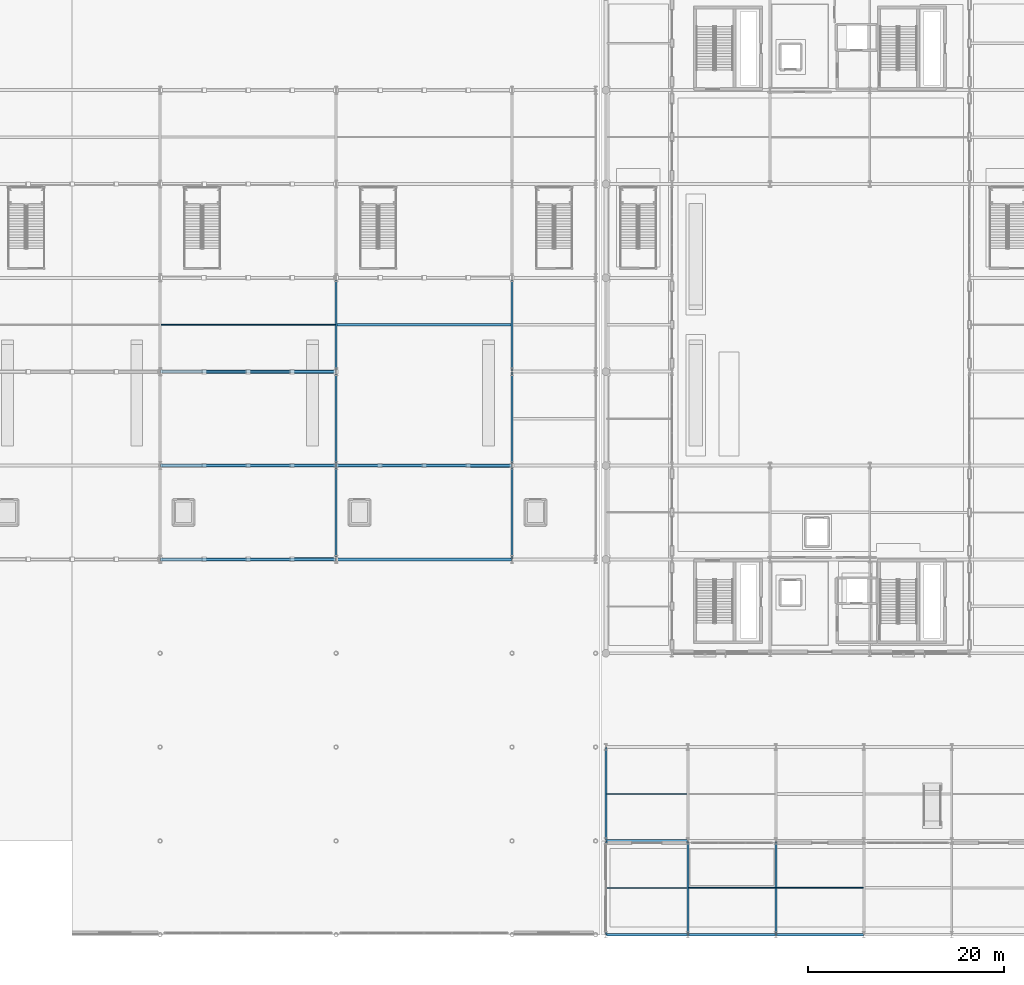
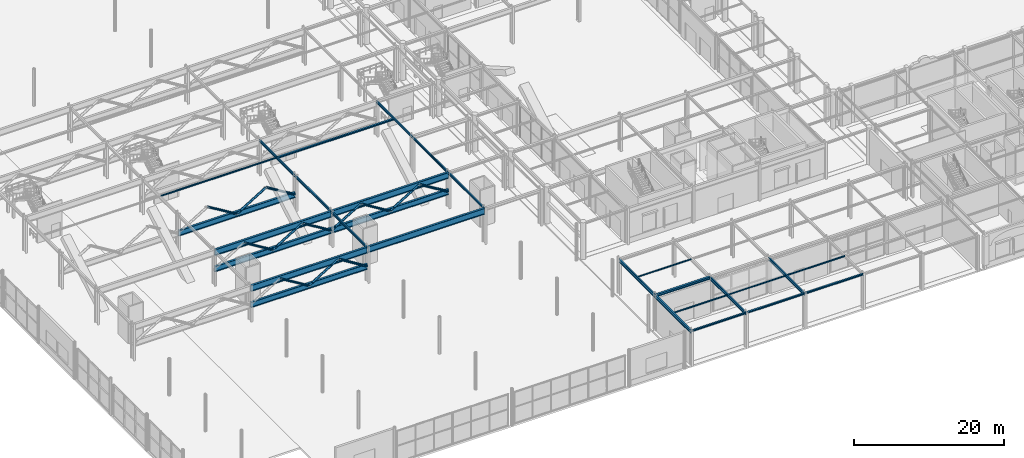
# One storey, part 29 of 113: 24 beams, 17 members.
"""IFC4 building model written with IfcOpenShell, lengths in metres."""

from ifc_helpers import new_model, si_unit, direction, frame, origin, origin_2d, place, context, subcontext, project, spatial, hollow_circle, i_section, extrude, material, material_profile, profile_set, type_object, element, save


model = new_model("IFC4")

# Units and contexts
model_context = context("Model", 3, precision=1e-05, world=origin(), true_north=direction((0.0, 1.0)))
body_context = subcontext(model_context, "Body", "Model", "MODEL_VIEW")
ifc_project = project(units=[si_unit("LENGTHUNIT", "METRE"), si_unit("AREAUNIT", "SQUARE_METRE"), si_unit("VOLUMEUNIT", "CUBIC_METRE"), si_unit("PLANEANGLEUNIT", "RADIAN"), si_unit("MASSUNIT", "GRAM", prefix="KILO")], contexts=[model_context])

# Site, building, storey
site_placement = place(None, origin())
site = spatial("IfcSite", under=ifc_project, at=site_placement, CompositionType="ELEMENT")
building_placement = place(site_placement, origin())
building = spatial("IfcBuilding", under=site, at=building_placement, Name="Myrtia Square Station", CompositionType="ELEMENT")
storey_placement = place(building_placement, origin())
storey = spatial("IfcBuildingStorey", under=building, at=storey_placement, Name="L00", CompositionType="ELEMENT", Elevation=0.0)

# Beams
ifc_material = material(Name="Steel S355", Category="steel")
ifc_material_profile_1 = material_profile(ifc_material, i_section(OverallWidth=0.300048828125, OverallDepth=0.39990234375, WebThickness=0.013427734375, FlangeThickness=0.02392578125, FilletRadius=0.027099609375, at=origin_2d()), Name="HEB 400")
ifc_profile_set_1 = profile_set([ifc_material_profile_1], Name="Steel S355")
beam_type_1 = type_object("IfcBeamType", Name="BM-HEB400", PredefinedType="BEAM", material=ifc_profile_set_1)
beam_1_placement = place(storey_placement, frame((72.64990234375, 9.60009765625, 5.56005859375), z_axis=(1.0, 0.0, 0.0), x_axis=(0.0, 1.0, 0.0)))
element("IfcBeam", 1, at=beam_1_placement, inside=storey, type_object=beam_type_1, Name="Structural girder BMX-L00-0327", PredefinedType="BEAM", context=body_context, shape_type="SweptSolid", body=[
    extrude(i_section(OverallWidth=0.300048828125, OverallDepth=0.39990234375, WebThickness=0.013427734375, FlangeThickness=0.02392578125, FilletRadius=0.027099609375, at=origin_2d()), origin(), (0.0, 0.0, 1.0), 8.300048828125),
])
ifc_material_profile_2 = material_profile(ifc_material, i_section(OverallWidth=0.169921875, OverallDepth=0.360107421875, WebThickness=0.008056640625, FlangeThickness=0.0126953125, FilletRadius=0.01806640625, at=origin_2d()), Name="IPE 360")
ifc_profile_set_2 = profile_set([ifc_material_profile_2], Name="Steel S355")
beam_type_2 = type_object("IfcBeamType", Name="BM-IPE360", PredefinedType="BEAM", material=ifc_profile_set_2)
for number, where, z_axis, x_axis, name in (
    (2, (63.0, 38.449951171875, 5.56005859375), (0.0, 1.0, 0.0), (-1.0, 0.0, 0.0), "Structural girder BMY-L00-0272"),
    (3, (63.0, 48.050048828125, 5.56005859375), (0.0, 1.0, 0.0), (-1.0, 0.0, 0.0), "Structural girder BMY-L00-0273"),
    (4, (63.0, 57.64990234375, 5.56005859375), (0.0, 1.0, 0.0), (-1.0, 0.0, 0.0), "Structural girder BMY-L00-0274"),
):
    element("IfcBeam", number, at=place(storey_placement, frame(where, z_axis=z_axis, x_axis=x_axis)), inside=storey, type_object=beam_type_2, Name=name, PredefinedType="BEAM", context=body_context, shape_type="SweptSolid", body=[
        extrude(i_section(OverallWidth=0.169921875, OverallDepth=0.360107421875, WebThickness=0.008056640625, FlangeThickness=0.0126953125, FilletRadius=0.01806640625, at=origin_2d()), origin(), (0.0, 0.0, 1.0), 9.5),
    ])
ifc_material_profile_3 = material_profile(ifc_material, i_section(OverallWidth=0.179931640625, OverallDepth=0.39990234375, WebThickness=0.008544921875, FlangeThickness=0.013427734375, FilletRadius=0.02099609375, at=origin_2d()), Name="IPE 400")
ifc_profile_set_3 = profile_set([ifc_material_profile_3], Name="Steel S355")
beam_type_3 = type_object("IfcBeamType", Name="BM-IPE400", PredefinedType="BEAM", material=ifc_profile_set_3)
for number, where, z_axis, x_axis, name in (
    (5, (45.0, 38.449951171875, 5.5400390625), (0.0, 1.0, 0.0), (-1.0, 0.0, 0.0), "Structural girder BMY-L00-0267"),
    (6, (45.0, 48.050048828125, 5.5400390625), (0.0, 1.0, 0.0), (-1.0, 0.0, 0.0), "Structural girder BMY-L00-0268"),
    (7, (45.0, 57.64990234375, 5.5400390625), (0.0, 1.0, 0.0), (-1.0, 0.0, 0.0), "Structural girder BMY-L00-0269"),
):
    element("IfcBeam", number, at=place(storey_placement, frame(where, z_axis=z_axis, x_axis=x_axis)), inside=storey, type_object=beam_type_3, Name=name, PredefinedType="BEAM", context=body_context, shape_type="SweptSolid", body=[
        extrude(i_section(OverallWidth=0.179931640625, OverallDepth=0.39990234375, WebThickness=0.008544921875, FlangeThickness=0.013427734375, FilletRadius=0.02099609375, at=origin_2d()), origin(), (0.0, 0.0, 1.0), 9.5),
    ])
ifc_material_profile_4 = material_profile(ifc_material, i_section(OverallWidth=0.18994140625, OverallDepth=0.449951171875, WebThickness=0.009521484375, FlangeThickness=0.0146484375, FilletRadius=0.02099609375, at=origin_2d()), Name="IPE 450")
ifc_profile_set_4 = profile_set([ifc_material_profile_4], Name="Steel S355")
beam_type_4 = type_object("IfcBeamType", Name="BM-IPE450", PredefinedType="BEAM", material=ifc_profile_set_4)
beam_2_placement = place(storey_placement, frame((90.0, 0.050048828125, 5.534912109375), z_axis=(0.0, 1.0, 0.0), x_axis=(-1.0, 0.0, 0.0)))
element("IfcBeam", 8, at=beam_2_placement, inside=storey, type_object=beam_type_4, Name="Structural girder BMY-L00-0358", PredefinedType="BEAM", context=body_context, shape_type="SweptSolid", body=[
    extrude(i_section(OverallWidth=0.18994140625, OverallDepth=0.449951171875, WebThickness=0.009521484375, FlangeThickness=0.0146484375, FilletRadius=0.02099609375, at=origin_2d()), origin(), (0.0, 0.0, 1.0), 9.5),
])
ifc_material_profile_5 = material_profile(ifc_material, i_section(OverallWidth=0.199951171875, OverallDepth=0.5, WebThickness=0.01025390625, FlangeThickness=0.01611328125, FilletRadius=0.02099609375, at=origin_2d()), Name="IPE 500")
ifc_profile_set_5 = profile_set([ifc_material_profile_5], Name="Steel S355")
beam_type_5 = type_object("IfcBeamType", Name="BM-IPE500", PredefinedType="BEAM", material=ifc_profile_set_5)
beam_3_placement = place(storey_placement, frame((81.0, 0.050048828125, 5.510009765625), z_axis=(0.0, 1.0, 0.0), x_axis=(-1.0, 0.0, 0.0)))
element("IfcBeam", 9, at=beam_3_placement, inside=storey, type_object=beam_type_5, Name="Structural girder BMY-L00-0356", PredefinedType="BEAM", context=body_context, shape_type="SweptSolid", body=[
    extrude(i_section(OverallWidth=0.199951171875, OverallDepth=0.5, WebThickness=0.01025390625, FlangeThickness=0.01611328125, FilletRadius=0.02099609375, at=origin_2d()), origin(), (0.0, 0.0, 1.0), 9.5),
])
ifc_material_profile_6 = material_profile(ifc_material, i_section(OverallWidth=0.2099609375, OverallDepth=0.550048828125, WebThickness=0.010986328125, FlangeThickness=0.01708984375, FilletRadius=0.02392578125, at=origin_2d()), Name="IPE 550")
ifc_profile_set_6 = profile_set([ifc_material_profile_6], Name="Steel S355")
beam_type_6 = type_object("IfcBeamType", Name="BM-IPE550", PredefinedType="BEAM", material=ifc_profile_set_6)
for number, where, z_axis, x_axis, name in (
    (10, (72.60009765625, 0.050048828125, 5.485107421875), (0.0, 1.0, 0.0), (-1.0, 0.0, 0.0), "Structural girder BMY-L00-0354"),
    (11, (72.60009765625, 9.64990234375, 5.485107421875), (0.0, 1.0, 0.0), (-1.0, 0.0, 0.0), "Structural girder BMY-L00-0355"),
):
    element("IfcBeam", number, at=place(storey_placement, frame(where, z_axis=z_axis, x_axis=x_axis)), inside=storey, type_object=beam_type_6, Name=name, PredefinedType="BEAM", context=body_context, shape_type="SweptSolid", body=[
        extrude(i_section(OverallWidth=0.2099609375, OverallDepth=0.550048828125, WebThickness=0.010986328125, FlangeThickness=0.01708984375, FilletRadius=0.02392578125, at=origin_2d()), origin(), (0.0, 0.0, 1.0), 9.5),
    ])

# Members
ifc_material_profile_7 = material_profile(ifc_material, hollow_circle(Radius=0.161865234375, WallThickness=0.01611328125, at=origin_2d()), Name="CHS 323.9x16")
ifc_profile_set_7 = profile_set([ifc_material_profile_7], Name="Steel S355")
member_type_1 = type_object("IfcMemberType", Name="BRC-CHS323", PredefinedType="BRACE", material=ifc_profile_set_7)
for number, where, z_axis, x_axis, name in (
    (12, (31.5400390625, 38.39990234375, 5.239990234375), (0.854236821944, 0.0, -0.519884075573), (0.0, 1.0, 0.0), "Over-track transfer truss 01 diagonal 6"),
    (13, (36.0400390625, 38.39990234375, 2.550048828125), (0.854236821944, 0.0, 0.519884075573), (0.0, 1.0, 0.0), "Over-track transfer truss 01 diagonal 7"),
    (14, (31.5400390625, 48.0, 5.239990234375), (0.854236821944, 0.0, -0.519884075573), (0.0, 1.0, 0.0), "Over-track transfer truss 02 diagonal 2"),
    (15, (36.0400390625, 48.0, 2.550048828125), (0.854236821944, 0.0, 0.519884075573), (0.0, 1.0, 0.0), "Over-track transfer truss 02 diagonal 3"),
    (16, (40.5400390625, 48.0, 5.239990234375), (0.854236821944, 0.0, -0.519884075573), (0.0, 1.0, 0.0), "Over-track transfer truss 02 diagonal 4"),
    (17, (45.0400390625, 48.0, 2.550048828125), (0.854236821944, 0.0, 0.519884075573), (0.0, 1.0, 0.0), "Over-track transfer truss 02 diagonal 5"),
    (18, (49.5400390625, 48.0, 5.239990234375), (0.854236821944, 0.0, -0.519884075573), (0.0, 1.0, 0.0), "Over-track transfer truss 02 diagonal 6"),
    (19, (54.0400390625, 48.0, 2.550048828125), (0.854236821944, 0.0, 0.519884075573), (0.0, 1.0, 0.0), "Over-track transfer truss 02 diagonal 7"),
    (20, (31.5400390625, 57.60009765625, 5.239990234375), (0.854236821944, 0.0, -0.519884075573), (0.0, 1.0, 0.0), "Over-track transfer truss 03 diagonal 6"),
    (21, (36.0400390625, 57.60009765625, 2.550048828125), (0.854236821944, 0.0, 0.519884075573), (0.0, 1.0, 0.0), "Over-track transfer truss 03 diagonal 7"),
):
    element("IfcMember", number, at=place(storey_placement, frame(where, z_axis=z_axis, x_axis=x_axis)), inside=storey, type_object=member_type_1, Name=name, PredefinedType="BRACE", context=body_context, shape_type="SweptSolid", body=[
        extrude(hollow_circle(Radius=0.161865234375, WallThickness=0.01611328125, at=origin_2d()), origin(), (0.0, 0.0, 1.0), 5.174072265625),
    ])
ifc_material_profile_8 = material_profile(ifc_material, hollow_circle(Radius=0.177734375, WallThickness=0.02001953125, at=origin_2d()), Name="CHS 355.6x20")
ifc_profile_set_8 = profile_set([ifc_material_profile_8], Name="Steel S355")
member_type_2 = type_object("IfcMemberType", Name="BRC-CHS355", PredefinedType="BRACE", material=ifc_profile_set_8)
for number, where, z_axis, x_axis, name in (
    (22, (40.5400390625, 38.39990234375, 5.239990234375), (0.854236821944, 0.0, -0.519884075573), (0.0, 1.0, 0.0), "Over-track transfer truss 01 diagonal 8"),
    (23, (58.5400390625, 48.0, 5.239990234375), (0.854236821944, 0.0, -0.519884075573), (0.0, 1.0, 0.0), "Over-track transfer truss 02 diagonal 8"),
    (24, (40.5400390625, 57.60009765625, 5.239990234375), (0.854236821944, 0.0, -0.519884075573), (0.0, 1.0, 0.0), "Over-track transfer truss 03 diagonal 8"),
):
    element("IfcMember", number, at=place(storey_placement, frame(where, z_axis=z_axis, x_axis=x_axis)), inside=storey, type_object=member_type_2, Name=name, PredefinedType="BRACE", context=body_context, shape_type="SweptSolid", body=[
        extrude(hollow_circle(Radius=0.177734375, WallThickness=0.02001953125, at=origin_2d()), origin(), (0.0, 0.0, 1.0), 5.174072265625),
    ])
ifc_material_profile_9 = material_profile(ifc_material, i_section(OverallWidth=0.300048828125, OverallDepth=0.89990234375, WebThickness=0.0185546875, FlangeThickness=0.034912109375, FilletRadius=0.030029296875, at=origin_2d()), Name="HEB 900")
ifc_profile_set_9 = profile_set([ifc_material_profile_9], Name="Steel S355")
member_type_3 = type_object("IfcMemberType", Name="CHD-HEB900", PredefinedType="CHORD", material=ifc_profile_set_9)
for number, where, z_axis, x_axis, name in (
    (25, (27.050048828125, 38.39990234375, 2.550048828125), (1.0, 0.0, 0.0), (0.0, 1.0, 0.0), "Over-track transfer truss 01 bottom chord 2"),
    (26, (27.050048828125, 48.0, 2.550048828125), (1.0, 0.0, 0.0), (0.0, 1.0, 0.0), "Over-track transfer truss 02 bottom chord 1"),
    (27, (45.050048828125, 48.0, 2.550048828125), (1.0, 0.0, 0.0), (0.0, 1.0, 0.0), "Over-track transfer truss 02 bottom chord 2"),
    (28, (27.050048828125, 57.60009765625, 2.550048828125), (1.0, 0.0, 0.0), (0.0, 1.0, 0.0), "Over-track transfer truss 03 bottom chord 2"),
):
    element("IfcMember", number, at=place(storey_placement, frame(where, z_axis=z_axis, x_axis=x_axis)), inside=storey, type_object=member_type_3, Name=name, PredefinedType="CHORD", context=body_context, shape_type="SweptSolid", body=[
        extrude(i_section(OverallWidth=0.300048828125, OverallDepth=0.89990234375, WebThickness=0.0185546875, FlangeThickness=0.034912109375, FilletRadius=0.030029296875, at=origin_2d()), origin(), (0.0, 0.0, 1.0), 17.89990234375),
    ])

# Beams
ifc_material_profile_10 = material_profile(ifc_material, i_section(OverallWidth=0.260009765625, OverallDepth=0.25, WebThickness=0.007568359375, FlangeThickness=0.012451171875, FilletRadius=0.02392578125, at=origin_2d()), Name="HEA 260")
ifc_profile_set_10 = profile_set([ifc_material_profile_10], Name="Steel S355")
beam_type_7 = type_object("IfcBeamType", Name="JST-HEA260", PredefinedType="JOIST", material=ifc_profile_set_10)
beam_4_placement = place(storey_placement, frame((45.090087890625, 62.39990234375, 5.614990234375), z_axis=(1.0, 0.0, 0.0), x_axis=(0.0, 1.0, 0.0)))
element("IfcBeam", 29, at=beam_4_placement, inside=storey, type_object=beam_type_7, Name="Composite floor joist L00-0005", PredefinedType="JOIST", context=body_context, shape_type="SweptSolid", body=[
    extrude(i_section(OverallWidth=0.260009765625, OverallDepth=0.25, WebThickness=0.007568359375, FlangeThickness=0.012451171875, FilletRadius=0.02392578125, at=origin_2d()), origin(), (0.0, 0.0, 1.0), 17.824951171875),
])
ifc_material_profile_11 = material_profile(ifc_material, i_section(OverallWidth=0.091064453125, OverallDepth=0.179931640625, WebThickness=0.00537109375, FlangeThickness=0.008056640625, FilletRadius=0.009033203125, at=origin_2d()), Name="IPE 180")
ifc_profile_set_11 = profile_set([ifc_material_profile_11], Name="Steel S355")
beam_type_8 = type_object("IfcBeamType", Name="JST-IPE180", PredefinedType="JOIST", material=ifc_profile_set_11)
beam_5_placement = place(storey_placement, frame((27.094970703125, 62.39990234375, 5.64990234375), z_axis=(1.0, 0.0, 0.0), x_axis=(0.0, 1.0, 0.0)))
element("IfcBeam", 30, at=beam_5_placement, inside=storey, type_object=beam_type_8, Name="Composite floor joist L00-0003", PredefinedType="JOIST", context=body_context, shape_type="SweptSolid", body=[
    extrude(i_section(OverallWidth=0.091064453125, OverallDepth=0.179931640625, WebThickness=0.00537109375, FlangeThickness=0.008056640625, FilletRadius=0.009033203125, at=origin_2d()), origin(), (0.0, 0.0, 1.0), 17.81494140625),
])
beam_6_placement = place(storey_placement, frame((90.094970703125, 4.800048828125, 5.669921875), z_axis=(1.0, 0.0, 0.0), x_axis=(0.0, 1.0, 0.0)))
element("IfcBeam", 31, at=beam_6_placement, inside=storey, type_object=beam_type_8, Name="Composite floor joist L00-0037", PredefinedType="JOIST", context=body_context, shape_type="SweptSolid", body=[
    extrude(i_section(OverallWidth=0.091064453125, OverallDepth=0.179931640625, WebThickness=0.00537109375, FlangeThickness=0.008056640625, FilletRadius=0.009033203125, at=origin_2d()), origin(), (0.0, 0.0, 1.0), 8.81494140625),
])
ifc_material_profile_12 = material_profile(ifc_material, i_section(OverallWidth=0.10009765625, OverallDepth=0.199951171875, WebThickness=0.005615234375, FlangeThickness=0.008544921875, FilletRadius=0.011962890625, at=origin_2d()), Name="IPE 200")
ifc_profile_set_12 = profile_set([ifc_material_profile_12], Name="Steel S355")
beam_type_9 = type_object("IfcBeamType", Name="JST-IPE200", PredefinedType="JOIST", material=ifc_profile_set_12)
beam_7_placement = place(storey_placement, frame((72.705078125, 14.39990234375, 5.659912109375), z_axis=(1.0, 0.0, 0.0), x_axis=(0.0, 1.0, 0.0)))
element("IfcBeam", 32, at=beam_7_placement, inside=storey, type_object=beam_type_9, Name="Composite floor joist L00-0034", PredefinedType="JOIST", context=body_context, shape_type="SweptSolid", body=[
    extrude(i_section(OverallWidth=0.10009765625, OverallDepth=0.199951171875, WebThickness=0.005615234375, FlangeThickness=0.008544921875, FilletRadius=0.011962890625, at=origin_2d()), origin(), (0.0, 0.0, 1.0), 8.19482421875),
])
beam_8_placement = place(storey_placement, frame((81.10009765625, 4.800048828125, 5.659912109375), z_axis=(1.0, 0.0, 0.0), x_axis=(0.0, 1.0, 0.0)))
element("IfcBeam", 33, at=beam_8_placement, inside=storey, type_object=beam_type_9, Name="Composite floor joist L00-0035", PredefinedType="JOIST", context=body_context, shape_type="SweptSolid", body=[
    extrude(i_section(OverallWidth=0.10009765625, OverallDepth=0.199951171875, WebThickness=0.005615234375, FlangeThickness=0.008544921875, FilletRadius=0.011962890625, at=origin_2d()), origin(), (0.0, 0.0, 1.0), 8.804931640625),
])
ifc_material_profile_13 = material_profile(ifc_material, i_section(OverallWidth=0.110107421875, OverallDepth=0.219970703125, WebThickness=0.005859375, FlangeThickness=0.00927734375, FilletRadius=0.011962890625, at=origin_2d()), Name="IPE 220")
ifc_profile_set_13 = profile_set([ifc_material_profile_13], Name="Steel S355")
beam_type_10 = type_object("IfcBeamType", Name="JST-IPE220", PredefinedType="JOIST", material=ifc_profile_set_13)
beam_9_placement = place(storey_placement, frame((72.705078125, 4.800048828125, 5.64990234375), z_axis=(1.0, 0.0, 0.0), x_axis=(0.0, 1.0, 0.0)))
element("IfcBeam", 34, at=beam_9_placement, inside=storey, type_object=beam_type_10, Name="Composite floor joist L00-0033", PredefinedType="JOIST", context=body_context, shape_type="SweptSolid", body=[
    extrude(i_section(OverallWidth=0.110107421875, OverallDepth=0.219970703125, WebThickness=0.005859375, FlangeThickness=0.00927734375, FilletRadius=0.011962890625, at=origin_2d()), origin(), (0.0, 0.0, 1.0), 8.19482421875),
])
ifc_material_profile_14 = material_profile(ifc_material, i_section(OverallWidth=0.239990234375, OverallDepth=0.239990234375, WebThickness=0.010009765625, FlangeThickness=0.01708984375, FilletRadius=0.02099609375, at=origin_2d()), Name="HEB 240")
ifc_profile_set_14 = profile_set([ifc_material_profile_14], Name="Steel S355")
beam_type_11 = type_object("IfcBeamType", Name="SPN-HEB240", PredefinedType="SPANDREL", material=ifc_profile_set_14)
beam_10_placement = place(storey_placement, frame((72.64990234375, 0.0, 5.639892578125), z_axis=(1.0, 0.0, 0.0), x_axis=(0.0, 1.0, 0.0)))
element("IfcBeam", 35, at=beam_10_placement, inside=storey, type_object=beam_type_11, Name="Structural girder SPN-L00-0094", PredefinedType="SPANDREL", context=body_context, shape_type="SweptSolid", body=[
    extrude(i_section(OverallWidth=0.239990234375, OverallDepth=0.239990234375, WebThickness=0.010009765625, FlangeThickness=0.01708984375, FilletRadius=0.02099609375, at=origin_2d()), origin(), (0.0, 0.0, 1.0), 8.300048828125),
])
for number, where, z_axis, x_axis, name in (
    (36, (81.050048828125, 0.0, 5.639892578125), (1.0, 0.0, 0.0), (0.0, 1.0, 0.0), "Structural girder SPN-L00-0095"),
    (37, (90.050048828125, 0.0, 5.639892578125), (1.0, 0.0, 0.0), (0.0, 1.0, 0.0), "Structural girder SPN-L00-0096"),
):
    element("IfcBeam", number, at=place(storey_placement, frame(where, z_axis=z_axis, x_axis=x_axis)), inside=storey, type_object=beam_type_11, Name=name, PredefinedType="SPANDREL", context=body_context, shape_type="SweptSolid", body=[
        extrude(i_section(OverallWidth=0.239990234375, OverallDepth=0.239990234375, WebThickness=0.010009765625, FlangeThickness=0.01708984375, FilletRadius=0.02099609375, at=origin_2d()), origin(), (0.0, 0.0, 1.0), 8.89990234375),
    ])
ifc_material_profile_15 = material_profile(ifc_material, i_section(OverallWidth=0.300048828125, OverallDepth=1.0, WebThickness=0.01904296875, FlangeThickness=0.035888671875, FilletRadius=0.030029296875, at=origin_2d()), Name="HEB 1000")
ifc_profile_set_15 = profile_set([ifc_material_profile_15], Name="Steel S355")
beam_type_12 = type_object("IfcBeamType", Name="TG-HEB1000", PredefinedType="USERDEFINED", material=ifc_profile_set_15)
for number, where, z_axis, x_axis, name in (
    (38, (27.050048828125, 38.39990234375, 5.239990234375), (1.0, 0.0, 0.0), (0.0, 1.0, 0.0), "Structural girder TG-L00-0066"),
    (39, (45.050048828125, 38.39990234375, 5.239990234375), (1.0, 0.0, 0.0), (0.0, 1.0, 0.0), "Structural girder TG-L00-0067"),
    (40, (27.050048828125, 48.0, 5.239990234375), (1.0, 0.0, 0.0), (0.0, 1.0, 0.0), "Structural girder TG-L00-0069"),
    (41, (45.050048828125, 48.0, 5.239990234375), (1.0, 0.0, 0.0), (0.0, 1.0, 0.0), "Structural girder TG-L00-0070"),
):
    element("IfcBeam", number, at=place(storey_placement, frame(where, z_axis=z_axis, x_axis=x_axis)), inside=storey, type_object=beam_type_12, Name=name, ObjectType="TRANSFER GIRDER", PredefinedType="USERDEFINED", context=body_context, shape_type="SweptSolid", body=[
        extrude(i_section(OverallWidth=0.300048828125, OverallDepth=1.0, WebThickness=0.01904296875, FlangeThickness=0.035888671875, FilletRadius=0.030029296875, at=origin_2d()), origin(), (0.0, 0.0, 1.0), 17.89990234375),
    ])

save(model, "model.ifc")
